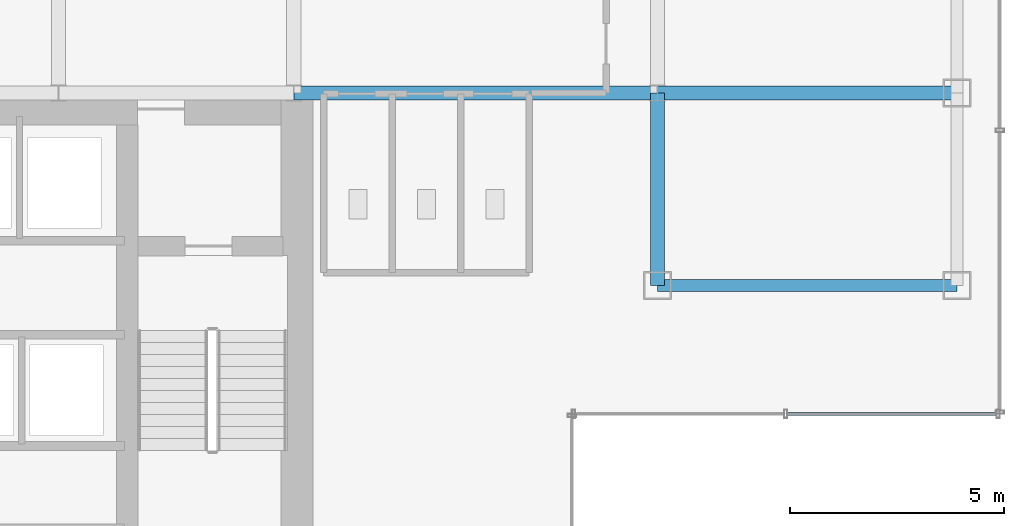
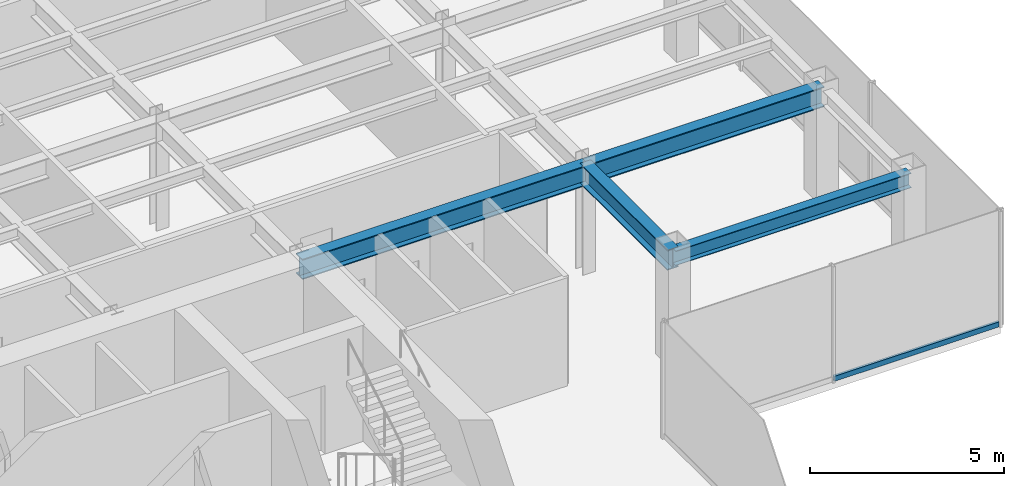
# One storey, part 10 of 25: 4 beams, 1 member, 1 element without a shape of its own.
"""IFC4 building model written with IfcOpenShell, lengths in metres."""

import ifcopenshell
import ifcopenshell.guid

model = None  # the IFC model being written
_history = None  # IfcOwnerHistory: only IFC2X3 demands one
_inside = {}  # id of a spatial element -> (the spatial element, [elements in it])
_under = {}  # id of a project, library or spatial element -> (it, [spatial elements below it])
_declared = {}  # id of a project -> (the project, [libraries it declares])
_typed = {}  # id of a type object -> (the type object, [elements of that type])
_made_of = {}  # id of a material, layer set ... -> (it, [elements and type objects made of it])


def new_model(schema):
    """Start an empty IFC model of exactly this schema.

    Asked for "IFC4X3", IfcOpenShell would pick the latest addendum, in which some entities
    have other attributes; the version numbers below select the first issue.
    IFC2X3 requires an IfcOwnerHistory on every rooted entity: one is made here for all.
    """
    global model, _history
    if schema == "IFC4X3":
        model = ifcopenshell.file(schema_version=(4, 3, 0, 0))
    else:
        model = ifcopenshell.file(schema=schema)
    _inside.clear()
    _under.clear()
    _declared.clear()
    _typed.clear()
    _made_of.clear()
    _history = None
    if model.schema == "IFC2X3":
        org = make("IfcOrganization", Name="unknown")
        user = make(
            "IfcPersonAndOrganization",
            ThePerson=make("IfcPerson", FamilyName="unknown"),
            TheOrganization=org,
        )
        app = make(
            "IfcApplication",
            ApplicationDeveloper=org,
            Version="unknown",
            ApplicationFullName="unknown",
            ApplicationIdentifier="unknown",
        )
        _history = make(
            "IfcOwnerHistory",
            OwningUser=user,
            OwningApplication=app,
            ChangeAction="ADDED",
            CreationDate=0,
        )
    return model


def make(cls, **values):
    """One entity of the class cls with the attributes given. An attribute that is None is left unset."""
    return model.create_entity(
        cls, **{name: value for name, value in values.items() if value is not None}
    )


def rooted(cls, **values):
    """An entity with a GlobalId (a new one), such as an element, a storey or a relation."""
    return make(cls, GlobalId=ifcopenshell.guid.new(), OwnerHistory=_history, **values)


def si_unit(unit_type, name, prefix=None):
    """IfcSIUnit, for example si_unit("LENGTHUNIT", "METRE", prefix="MILLI")."""
    return make("IfcSIUnit", UnitType=unit_type, Prefix=prefix, Name=name)


def derived_unit(unit_type, elements):
    """IfcDerivedUnit: a product of units, each with its exponent."""
    return make(
        "IfcDerivedUnit",
        Elements=[
            make("IfcDerivedUnitElement", Unit=unit, Exponent=power)
            for unit, power in elements
        ],
        UnitType=unit_type,
    )


def assignment(units):
    """IfcUnitAssignment: the units of a project."""
    return None if units is None else make("IfcUnitAssignment", Units=units)


def point(xyz):
    """IfcCartesianPoint."""
    return None if xyz is None else make("IfcCartesianPoint", Coordinates=xyz)


def direction(xyz):
    """IfcDirection."""
    return None if xyz is None else make("IfcDirection", DirectionRatios=xyz)


def frame(location, z_axis=None, x_axis=None):
    """IfcAxis2Placement3D, a coordinate frame: its origin and axes. An axis left out is left unset."""
    return make(
        "IfcAxis2Placement3D",
        Location=point(location),
        Axis=direction(z_axis),
        RefDirection=direction(x_axis),
    )


def frame_2d(location, x_axis=None):
    """IfcAxis2Placement2D, a coordinate frame in the plane: its origin and x axis."""
    return make(
        "IfcAxis2Placement2D", Location=point(location), RefDirection=direction(x_axis)
    )


def origin():
    """The frame at (0, 0, 0) with its axes left unset."""
    return frame((0.0, 0.0, 0.0))


def origin_2d():
    """The frame at (0, 0) in the plane with its x axis left unset."""
    return frame_2d((0.0, 0.0))


def place(relative_to, where):
    """IfcLocalPlacement: puts the frame where relative to a parent placement (None: the world)."""
    return make(
        "IfcLocalPlacement", PlacementRelTo=relative_to, RelativePlacement=where
    )


def context(
    kind, dimensions, precision=None, world=None, true_north=None, identifier=None
):
    """IfcGeometricRepresentationContext, for example the 3D "Model" context."""
    return make(
        "IfcGeometricRepresentationContext",
        ContextIdentifier=identifier,
        ContextType=kind,
        CoordinateSpaceDimension=dimensions,
        Precision=precision,
        WorldCoordinateSystem=world,
        TrueNorth=true_north,
    )


def subcontext(parent, identifier, kind, view, scale=None):
    """IfcGeometricRepresentationSubContext, for example "Body" below "Model"."""
    return make(
        "IfcGeometricRepresentationSubContext",
        ContextIdentifier=identifier,
        ContextType=kind,
        ParentContext=parent,
        TargetScale=scale,
        TargetView=view,
    )


def project(units=None, contexts=None):
    """IfcProject with its units and contexts."""
    return rooted(
        "IfcProject",
        Name="project",
        RepresentationContexts=contexts,
        UnitsInContext=assignment(units),
    )


def spatial(cls, under=None, at=None, **own):
    """A site, building, storey or space (cls), placed at a placement, below another one or the project."""
    s = rooted(cls, ObjectPlacement=at, **own)
    if under is not None:
        _under.setdefault(under.id(), (under, []))[1].append(s)
    return s


def profile(cls, at=None, kind="AREA", **sizes):
    """A parametric profile (cls). Its sizes go by their IFC names, for example OverallWidth=200.0."""
    return make(cls, ProfileType=kind, Position=at, **sizes)


def hollow_rectangle(**sizes):
    """IfcRectangleHollowProfileDef."""
    return profile("IfcRectangleHollowProfileDef", **sizes)


def i_section(**sizes):
    """IfcIShapeProfileDef."""
    return profile("IfcIShapeProfileDef", **sizes)


def extrude(swept, where, along, depth):
    """IfcExtrudedAreaSolid: the profile swept, set in the frame where, extruded along a direction by depth."""
    return make(
        "IfcExtrudedAreaSolid",
        SweptArea=swept,
        Position=where,
        ExtrudedDirection=direction(along),
        Depth=depth,
    )


def shape(context_of_items, identifier, shape_type, items):
    """IfcShapeRepresentation: the items that make up one representation, for example the "Body"."""
    return make(
        "IfcShapeRepresentation",
        ContextOfItems=context_of_items,
        RepresentationIdentifier=identifier,
        RepresentationType=shape_type,
        Items=items,
    )


def source(mapping_origin, context_of_items, identifier, shape_type, items):
    """IfcRepresentationMap: a shape defined once, which mapped items show again and again."""
    return make(
        "IfcRepresentationMap",
        MappingOrigin=mapping_origin,
        MappedRepresentation=shape(context_of_items, identifier, shape_type, items),
    )


def transform(
    local_origin,
    x_axis=None,
    y_axis=None,
    z_axis=None,
    scale=None,
    scale2=None,
    scale3=None,
    uniform=True,
):
    """IfcCartesianTransformationOperator3D, or its non-uniform kind. x_axis, y_axis, z_axis: its Axis1, 2, 3."""
    if uniform:
        return make(
            "IfcCartesianTransformationOperator3D",
            Axis1=direction(x_axis),
            Axis2=direction(y_axis),
            LocalOrigin=point(local_origin),
            Scale=scale,
            Axis3=direction(z_axis),
        )
    return make(
        "IfcCartesianTransformationOperator3DnonUniform",
        Axis1=direction(x_axis),
        Axis2=direction(y_axis),
        LocalOrigin=point(local_origin),
        Scale=scale,
        Axis3=direction(z_axis),
        Scale2=scale2,
        Scale3=scale3,
    )


def mapped(mapping_source, mapping_target):
    """IfcMappedItem: shows the shape of a source again, moved by a transform."""
    return make(
        "IfcMappedItem", MappingSource=mapping_source, MappingTarget=mapping_target
    )


def material(Name=None, Category=None):
    """IfcMaterial."""
    return make("IfcMaterial", Name=Name, Category=Category)


def material_profile(
    of_material, cross_section, Name=None, Category=None, Priority=None
):
    """IfcMaterialProfile: a cross section and its material."""
    return make(
        "IfcMaterialProfile",
        Name=Name,
        Material=of_material,
        Profile=cross_section,
        Priority=Priority,
        Category=Category,
    )


def profile_set(profiles, Name=None, composite=None):
    """IfcMaterialProfileSet."""
    return make(
        "IfcMaterialProfileSet",
        Name=Name,
        MaterialProfiles=profiles,
        CompositeProfile=composite,
    )


def made_of(thing, what):
    """Note that an element or type object is made of a material, layer set ...; save() writes the relation."""
    if what is not None:
        _made_of.setdefault(what.id(), (what, []))[1].append(thing)
    return thing


def type_object(cls, material=None, **own):
    """A type object (cls), such as IfcWallType, which elements share."""
    return made_of(rooted(cls, **own), material)


def element(
    cls,
    number,
    at=None,
    inside=None,
    cuts=None,
    type_object=None,
    material=None,
    context=None,
    identifier="Body",
    shape_type=None,
    held_by="IfcProductDefinitionShape",
    body=None,
    shapes=None,
    **own,
):
    """One element of the class cls, such as IfcWall. Its Tag is "e" and its number.

    at: its placement. inside: the storey or other place that contains it. cuts: it is an
    opening in that element (IfcRelVoidsElement). A single representation is given by context,
    identifier, shape_type and body (its items); several are given by shapes. held_by: the class
    of the entity that holds the representations. save() writes the other relations.
    """
    e = rooted(cls, Tag="e%d" % number, ObjectPlacement=at, **own)
    if body is not None:
        shapes = [shape(context, identifier, shape_type, body)]
    if shapes is not None:
        e.Representation = make(held_by, Representations=shapes)
    if inside is not None:
        _inside.setdefault(inside.id(), (inside, []))[1].append(e)
    if cuts is not None:
        rooted(
            "IfcRelVoidsElement", RelatingBuildingElement=cuts, RelatedOpeningElement=e
        )
    if type_object is not None:
        _typed.setdefault(type_object.id(), (type_object, []))[1].append(e)
    return made_of(e, material)


def aggregate(whole, parts):
    """IfcRelAggregates: a whole, such as a stair, and the parts it consists of."""
    return rooted("IfcRelAggregates", RelatingObject=whole, RelatedObjects=parts)


def save(model, path):
    """Write the relations noted so far, then the file.

    IfcRelAggregates (storeys below a building ...), IfcRelContainedInSpatialStructure (elements
    in a storey), IfcRelDefinesByType, IfcRelAssociatesMaterial and IfcRelDeclares: one each for
    every whole, place, type object, material and project.
    """
    for whole, parts in _under.values():
        aggregate(whole, parts)
    for where, things in _inside.values():
        rooted(
            "IfcRelContainedInSpatialStructure",
            RelatedElements=things,
            RelatingStructure=where,
        )
    for kind, things in _typed.values():
        rooted("IfcRelDefinesByType", RelatedObjects=things, RelatingType=kind)
    for what, things in _made_of.values():
        rooted("IfcRelAssociatesMaterial", RelatedObjects=things, RelatingMaterial=what)
    for by, libraries in _declared.values():
        rooted("IfcRelDeclares", RelatingContext=by, RelatedDefinitions=libraries)
    model.write(path)


model = new_model("IFC4")

# Units and contexts
model_context = context("Model", 3, precision=1e-05, world=origin(), true_north=direction((0.0, 1.0)))
body_context = subcontext(model_context, "Body", "Model", "MODEL_VIEW")
ifc_project = project(units=[si_unit("LENGTHUNIT", "METRE"), si_unit("AREAUNIT", "SQUARE_METRE"), si_unit("VOLUMEUNIT", "CUBIC_METRE"), si_unit("PLANEANGLEUNIT", "RADIAN"), si_unit("MASSUNIT", "GRAM", prefix="KILO"), derived_unit("THERMALTRANSMITTANCEUNIT", [(si_unit("POWERUNIT", "WATT"), 1), (si_unit("LENGTHUNIT", "METRE"), -2), (si_unit("THERMODYNAMICTEMPERATUREUNIT", "KELVIN"), -1)])], contexts=[model_context])

# Site, building, storey
site_placement = place(None, origin())
site = spatial("IfcSite", under=ifc_project, at=site_placement, CompositionType="ELEMENT")
building_placement = place(site_placement, origin())
building = spatial("IfcBuilding", under=site, at=building_placement, Name="Skarnbrae Concourse Arena and Tower", CompositionType="ELEMENT")
storey_placement = place(building_placement, frame((0.0, 0.0, 173.449951171875)))
storey = spatial("IfcBuildingStorey", under=building, at=storey_placement, Name="L44", CompositionType="ELEMENT", Elevation=173.449951171875)

# Beams
ifc_material_1 = material(Name="Steel CSA G40.21 350W", Category="steel")
ifc_material_profile_1 = material_profile(ifc_material_1, i_section(OverallWidth=0.280029296875, OverallDepth=0.462890625, WebThickness=0.0107421875, FlangeThickness=0.017333984375, at=origin_2d()), Name="W460X113")
ifc_profile_set_1 = profile_set([ifc_material_profile_1], Name="Steel CSA G40.21 350W")
beam_type_1 = type_object("IfcBeamType", Name="BM-SPAN-W460X113", PredefinedType="SPANDREL", material=ifc_profile_set_1)
shared_shape_1 = source(origin(), body_context, "Body", "SweptSolid", [
    extrude(i_section(OverallWidth=0.280029296875, OverallDepth=0.462890625, WebThickness=0.0107421875, FlangeThickness=0.017333984375, at=origin_2d()), origin(), (0.0, 0.0, 1.0), 7.0),
])
beam_1_placement = place(storey_placement, frame((42.0, 9.5, 3.16845703125), z_axis=(1.0, 0.0, 0.0), x_axis=(0.0, 1.0, 0.0)))
element("IfcBeam", 1, at=beam_1_placement, inside=storey, type_object=beam_type_1, Name="L44 Perimeter spandrel Y9.5-2", PredefinedType="SPANDREL", context=body_context, shape_type="MappedRepresentation", body=[
    mapped(shared_shape_1, transform((0.0, 0.0, 0.0))),
])
ifc_material_profile_2 = material_profile(ifc_material_1, i_section(OverallWidth=0.3291015625, OverallDepth=0.635009765625, WebThickness=0.017822265625, FlangeThickness=0.031005859375, at=origin_2d()), Name="W610X241")
ifc_profile_set_2 = profile_set([ifc_material_profile_2], Name="Steel CSA G40.21 350W")
beam_type_2 = type_object("IfcBeamType", Name="BM-GIRD-W610X241", PredefinedType="BEAM", material=ifc_profile_set_2)
shared_shape_2 = source(origin(), body_context, "Body", "SweptSolid", [
    extrude(i_section(OverallWidth=0.3291015625, OverallDepth=0.635009765625, WebThickness=0.017822265625, FlangeThickness=0.031005859375, at=origin_2d()), origin(), (0.0, 0.0, 1.0), 8.5),
])
beam_2_placement = place(storey_placement, frame((33.5, 14.0, 3.08251953125), z_axis=(1.0, 0.0, 0.0), x_axis=(0.0, 1.0, 0.0)))
element("IfcBeam", 2, at=beam_2_placement, inside=storey, type_object=beam_type_2, Name="L44 Primary E-W girder Y14.0-6", PredefinedType="BEAM", context=body_context, shape_type="MappedRepresentation", body=[
    mapped(shared_shape_2, transform((0.0, 0.0, 0.0))),
])
shared_shape_3 = source(origin(), body_context, "Body", "SweptSolid", [
    extrude(i_section(OverallWidth=0.3291015625, OverallDepth=0.635009765625, WebThickness=0.017822265625, FlangeThickness=0.031005859375, at=origin_2d()), origin(), (0.0, 0.0, 1.0), 7.0),
])
beam_3_placement = place(storey_placement, frame((42.0, 14.0, 3.08251953125), z_axis=(1.0, 0.0, 0.0), x_axis=(0.0, 1.0, 0.0)))
element("IfcBeam", 3, at=beam_3_placement, inside=storey, type_object=beam_type_2, Name="L44 Primary E-W girder Y14.0-7", PredefinedType="BEAM", context=body_context, shape_type="MappedRepresentation", body=[
    mapped(shared_shape_3, transform((0.0, 0.0, 0.0))),
])
shared_shape_4 = source(origin(), body_context, "Body", "SweptSolid", [
    extrude(i_section(OverallWidth=0.3291015625, OverallDepth=0.635009765625, WebThickness=0.017822265625, FlangeThickness=0.031005859375, at=origin_2d()), origin(), (0.0, 0.0, 1.0), 4.5),
])
beam_4_placement = place(storey_placement, frame((42.0, 9.5, 3.08251953125), z_axis=(0.0, 1.0, 0.0), x_axis=(-1.0, 0.0, 0.0)))
element("IfcBeam", 4, at=beam_4_placement, inside=storey, type_object=beam_type_2, Name="L44 Primary N-S girder X42.0-1", PredefinedType="BEAM", context=body_context, shape_type="MappedRepresentation", body=[
    mapped(shared_shape_4, transform((0.0, 0.0, 0.0))),
])

# Curtain wall, member
ifc_material_2 = material(Name="Bronze anodised aluminium 6063-T6", Category="aluminium")
curtain_wall_type = type_object("IfcCurtainWallType", Name="CW-SYS-04-MIDZONE", PredefinedType="USERDEFINED", material=ifc_material_2)
curtain_wall_placement = place(storey_placement, origin())
curtain_wall = element("IfcCurtainWall", 5, at=curtain_wall_placement, inside=storey, type_object=curtain_wall_type, Name="L44 Unitised curtain wall CW-L44-E03", ObjectType="UNITISED CURTAIN WALL", PredefinedType="USERDEFINED")
ifc_material_profile_3 = material_profile(ifc_material_2, hollow_rectangle(XDim=0.074951171875, YDim=0.159912109375, WallThickness=0.00439453125, at=origin_2d()), Name="ALU-TRAN-75X160")
ifc_profile_set_3 = profile_set([ifc_material_profile_3], Name="Bronze anodised aluminium 6063-T6")
member_type = type_object("IfcMemberType", Name="CWT-CW-04", PredefinedType="USERDEFINED", material=ifc_profile_set_3)
shared_shape_5 = source(origin(), body_context, "Body", "SweptSolid", [
    extrude(hollow_rectangle(XDim=0.074951171875, YDim=0.159912109375, WallThickness=0.00439453125, at=origin_2d()), origin(), (0.0, 0.0, 1.0), 4.887451171875),
])
member_placement = place(storey_placement, frame((45.03759765625, 6.5, 0.080078125), z_axis=(1.0, 0.0, 0.0), x_axis=(0.0, 1.0, 0.0)))
member = element("IfcMember", 6, at=member_placement, type_object=member_type, Name="CW-L44-E03 Transom 2", ObjectType="TRANSOM", PredefinedType="USERDEFINED", context=body_context, shape_type="MappedRepresentation", body=[
    mapped(shared_shape_5, transform((0.0, 0.0, 0.0))),
])
aggregate(curtain_wall, [member])

save(model, "model.ifc")
